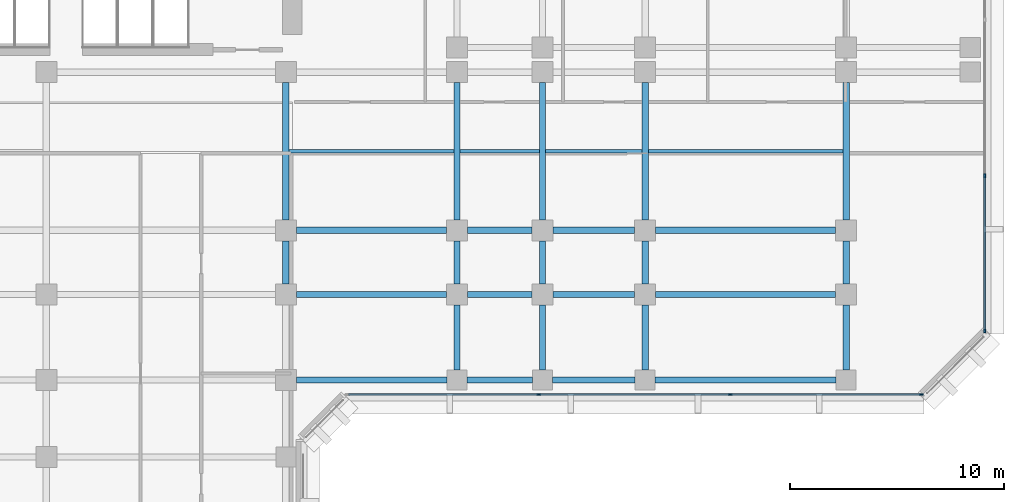
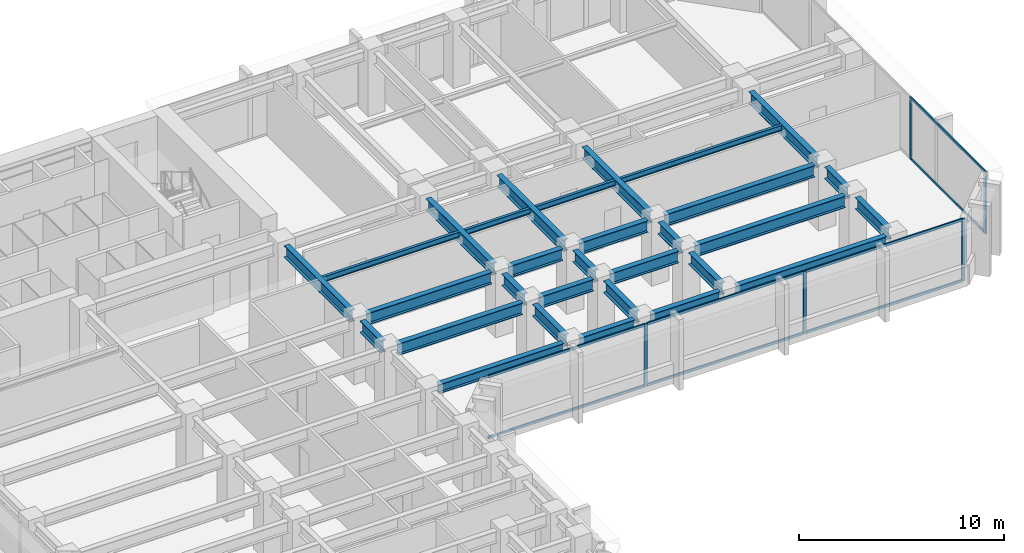
# One storey, part 3 of 13: 30 beams, 13 members, 2 elements without a shape of their own.
"""IFC4 building model written with IfcOpenShell, lengths in metres."""

import ifcopenshell
import ifcopenshell.guid

model = None  # the IFC model being written
_history = None  # IfcOwnerHistory: only IFC2X3 demands one
_inside = {}  # id of a spatial element -> (the spatial element, [elements in it])
_under = {}  # id of a project, library or spatial element -> (it, [spatial elements below it])
_declared = {}  # id of a project -> (the project, [libraries it declares])
_typed = {}  # id of a type object -> (the type object, [elements of that type])
_made_of = {}  # id of a material, layer set ... -> (it, [elements and type objects made of it])


def new_model(schema):
    """Start an empty IFC model of exactly this schema.

    Asked for "IFC4X3", IfcOpenShell would pick the latest addendum, in which some entities
    have other attributes; the version numbers below select the first issue.
    IFC2X3 requires an IfcOwnerHistory on every rooted entity: one is made here for all.
    """
    global model, _history
    if schema == "IFC4X3":
        model = ifcopenshell.file(schema_version=(4, 3, 0, 0))
    else:
        model = ifcopenshell.file(schema=schema)
    _inside.clear()
    _under.clear()
    _declared.clear()
    _typed.clear()
    _made_of.clear()
    _history = None
    if model.schema == "IFC2X3":
        org = make("IfcOrganization", Name="unknown")
        user = make(
            "IfcPersonAndOrganization",
            ThePerson=make("IfcPerson", FamilyName="unknown"),
            TheOrganization=org,
        )
        app = make(
            "IfcApplication",
            ApplicationDeveloper=org,
            Version="unknown",
            ApplicationFullName="unknown",
            ApplicationIdentifier="unknown",
        )
        _history = make(
            "IfcOwnerHistory",
            OwningUser=user,
            OwningApplication=app,
            ChangeAction="ADDED",
            CreationDate=0,
        )
    return model


def make(cls, **values):
    """One entity of the class cls with the attributes given. An attribute that is None is left unset."""
    return model.create_entity(
        cls, **{name: value for name, value in values.items() if value is not None}
    )


def rooted(cls, **values):
    """An entity with a GlobalId (a new one), such as an element, a storey or a relation."""
    return make(cls, GlobalId=ifcopenshell.guid.new(), OwnerHistory=_history, **values)


def si_unit(unit_type, name, prefix=None):
    """IfcSIUnit, for example si_unit("LENGTHUNIT", "METRE", prefix="MILLI")."""
    return make("IfcSIUnit", UnitType=unit_type, Prefix=prefix, Name=name)


def assignment(units):
    """IfcUnitAssignment: the units of a project."""
    return None if units is None else make("IfcUnitAssignment", Units=units)


def point(xyz):
    """IfcCartesianPoint."""
    return None if xyz is None else make("IfcCartesianPoint", Coordinates=xyz)


def direction(xyz):
    """IfcDirection."""
    return None if xyz is None else make("IfcDirection", DirectionRatios=xyz)


def frame(location, z_axis=None, x_axis=None):
    """IfcAxis2Placement3D, a coordinate frame: its origin and axes. An axis left out is left unset."""
    return make(
        "IfcAxis2Placement3D",
        Location=point(location),
        Axis=direction(z_axis),
        RefDirection=direction(x_axis),
    )


def frame_2d(location, x_axis=None):
    """IfcAxis2Placement2D, a coordinate frame in the plane: its origin and x axis."""
    return make(
        "IfcAxis2Placement2D", Location=point(location), RefDirection=direction(x_axis)
    )


def origin():
    """The frame at (0, 0, 0) with its axes left unset."""
    return frame((0.0, 0.0, 0.0))


def origin_2d():
    """The frame at (0, 0) in the plane with its x axis left unset."""
    return frame_2d((0.0, 0.0))


def place(relative_to, where):
    """IfcLocalPlacement: puts the frame where relative to a parent placement (None: the world)."""
    return make(
        "IfcLocalPlacement", PlacementRelTo=relative_to, RelativePlacement=where
    )


def context(
    kind, dimensions, precision=None, world=None, true_north=None, identifier=None
):
    """IfcGeometricRepresentationContext, for example the 3D "Model" context."""
    return make(
        "IfcGeometricRepresentationContext",
        ContextIdentifier=identifier,
        ContextType=kind,
        CoordinateSpaceDimension=dimensions,
        Precision=precision,
        WorldCoordinateSystem=world,
        TrueNorth=true_north,
    )


def subcontext(parent, identifier, kind, view, scale=None):
    """IfcGeometricRepresentationSubContext, for example "Body" below "Model"."""
    return make(
        "IfcGeometricRepresentationSubContext",
        ContextIdentifier=identifier,
        ContextType=kind,
        ParentContext=parent,
        TargetScale=scale,
        TargetView=view,
    )


def project(units=None, contexts=None):
    """IfcProject with its units and contexts."""
    return rooted(
        "IfcProject",
        Name="project",
        RepresentationContexts=contexts,
        UnitsInContext=assignment(units),
    )


def spatial(cls, under=None, at=None, **own):
    """A site, building, storey or space (cls), placed at a placement, below another one or the project."""
    s = rooted(cls, ObjectPlacement=at, **own)
    if under is not None:
        _under.setdefault(under.id(), (under, []))[1].append(s)
    return s


def profile(cls, at=None, kind="AREA", **sizes):
    """A parametric profile (cls). Its sizes go by their IFC names, for example OverallWidth=200.0."""
    return make(cls, ProfileType=kind, Position=at, **sizes)


def rectangle(**sizes):
    """IfcRectangleProfileDef."""
    return profile("IfcRectangleProfileDef", **sizes)


def i_section(**sizes):
    """IfcIShapeProfileDef."""
    return profile("IfcIShapeProfileDef", **sizes)


def extrude(swept, where, along, depth):
    """IfcExtrudedAreaSolid: the profile swept, set in the frame where, extruded along a direction by depth."""
    return make(
        "IfcExtrudedAreaSolid",
        SweptArea=swept,
        Position=where,
        ExtrudedDirection=direction(along),
        Depth=depth,
    )


def shape(context_of_items, identifier, shape_type, items):
    """IfcShapeRepresentation: the items that make up one representation, for example the "Body"."""
    return make(
        "IfcShapeRepresentation",
        ContextOfItems=context_of_items,
        RepresentationIdentifier=identifier,
        RepresentationType=shape_type,
        Items=items,
    )


def material(Name=None, Category=None):
    """IfcMaterial."""
    return make("IfcMaterial", Name=Name, Category=Category)


def layer(
    of_material, thickness, ventilated=None, Name=None, Category=None, Priority=None
):
    """IfcMaterialLayer: one layer of a wall or slab, of a material (None: an air gap)."""
    return make(
        "IfcMaterialLayer",
        Material=of_material,
        LayerThickness=thickness,
        IsVentilated=ventilated,
        Name=Name,
        Category=Category,
        Priority=Priority,
    )


def layer_set(layers, Name=None):
    """IfcMaterialLayerSet."""
    return make("IfcMaterialLayerSet", MaterialLayers=layers, LayerSetName=Name)


def material_profile(
    of_material, cross_section, Name=None, Category=None, Priority=None
):
    """IfcMaterialProfile: a cross section and its material."""
    return make(
        "IfcMaterialProfile",
        Name=Name,
        Material=of_material,
        Profile=cross_section,
        Priority=Priority,
        Category=Category,
    )


def profile_set(profiles, Name=None, composite=None):
    """IfcMaterialProfileSet."""
    return make(
        "IfcMaterialProfileSet",
        Name=Name,
        MaterialProfiles=profiles,
        CompositeProfile=composite,
    )


def made_of(thing, what):
    """Note that an element or type object is made of a material, layer set ...; save() writes the relation."""
    if what is not None:
        _made_of.setdefault(what.id(), (what, []))[1].append(thing)
    return thing


def type_object(cls, material=None, **own):
    """A type object (cls), such as IfcWallType, which elements share."""
    return made_of(rooted(cls, **own), material)


def element(
    cls,
    number,
    at=None,
    inside=None,
    cuts=None,
    type_object=None,
    material=None,
    context=None,
    identifier="Body",
    shape_type=None,
    held_by="IfcProductDefinitionShape",
    body=None,
    shapes=None,
    **own,
):
    """One element of the class cls, such as IfcWall. Its Tag is "e" and its number.

    at: its placement. inside: the storey or other place that contains it. cuts: it is an
    opening in that element (IfcRelVoidsElement). A single representation is given by context,
    identifier, shape_type and body (its items); several are given by shapes. held_by: the class
    of the entity that holds the representations. save() writes the other relations.
    """
    e = rooted(cls, Tag="e%d" % number, ObjectPlacement=at, **own)
    if body is not None:
        shapes = [shape(context, identifier, shape_type, body)]
    if shapes is not None:
        e.Representation = make(held_by, Representations=shapes)
    if inside is not None:
        _inside.setdefault(inside.id(), (inside, []))[1].append(e)
    if cuts is not None:
        rooted(
            "IfcRelVoidsElement", RelatingBuildingElement=cuts, RelatedOpeningElement=e
        )
    if type_object is not None:
        _typed.setdefault(type_object.id(), (type_object, []))[1].append(e)
    return made_of(e, material)


def aggregate(whole, parts):
    """IfcRelAggregates: a whole, such as a stair, and the parts it consists of."""
    return rooted("IfcRelAggregates", RelatingObject=whole, RelatedObjects=parts)


def save(model, path):
    """Write the relations noted so far, then the file.

    IfcRelAggregates (storeys below a building ...), IfcRelContainedInSpatialStructure (elements
    in a storey), IfcRelDefinesByType, IfcRelAssociatesMaterial and IfcRelDeclares: one each for
    every whole, place, type object, material and project.
    """
    for whole, parts in _under.values():
        aggregate(whole, parts)
    for where, things in _inside.values():
        rooted(
            "IfcRelContainedInSpatialStructure",
            RelatedElements=things,
            RelatingStructure=where,
        )
    for kind, things in _typed.values():
        rooted("IfcRelDefinesByType", RelatedObjects=things, RelatingType=kind)
    for what, things in _made_of.values():
        rooted("IfcRelAssociatesMaterial", RelatedObjects=things, RelatingMaterial=what)
    for by, libraries in _declared.values():
        rooted("IfcRelDeclares", RelatingContext=by, RelatedDefinitions=libraries)
    model.write(path)


model = new_model("IFC4")

# Units and contexts
model_context = context("Model", 3, precision=1e-05, world=origin(), true_north=direction((0.0, 1.0)))
body_context = subcontext(model_context, "Body", "Model", "MODEL_VIEW")
ifc_project = project(units=[si_unit("LENGTHUNIT", "METRE"), si_unit("AREAUNIT", "SQUARE_METRE"), si_unit("VOLUMEUNIT", "CUBIC_METRE"), si_unit("PLANEANGLEUNIT", "RADIAN"), si_unit("MASSUNIT", "GRAM", prefix="KILO")], contexts=[model_context])

# Site, building, storey
site_placement = place(None, origin())
site = spatial("IfcSite", under=ifc_project, at=site_placement, CompositionType="ELEMENT")
building_placement = place(site_placement, origin())
building = spatial("IfcBuilding", under=site, at=building_placement, Name="Kefirva Bronze Tower", CompositionType="ELEMENT")
storey_placement = place(building_placement, frame((0.0, 0.0, 73.919921875)))
storey = spatial("IfcBuildingStorey", under=building, at=storey_placement, Name="L17", CompositionType="ELEMENT", Elevation=73.919921875)

# Curtain wall, members
ifc_material_1 = material(Name="Bronze anodised aluminium", Category="aluminium")
ifc_layer = layer(ifc_material_1, 0.199951171875, Name="Bronze anodised aluminium")
ifc_layer_set = layer_set([ifc_layer], Name="Bronze anodised aluminium")
curtain_wall_type = type_object("IfcCurtainWallType", Name="Unitised Bronze Ribbon Curtain Wall Zone 1", PredefinedType="USERDEFINED", material=ifc_layer_set)
curtain_wall_1_placement = place(storey_placement, origin())
curtain_wall_1 = element("IfcCurtainWall", 1, at=curtain_wall_1_placement, inside=storey, type_object=curtain_wall_type, Name="L17 Curtain Wall 2", ObjectType="UNITISED CURTAIN WALL", PredefinedType="USERDEFINED")
ifc_material_profile_1 = material_profile(ifc_material_1, rectangle(XDim=0.074951171875, YDim=0.179931640625, at=origin_2d()), Name="ALU 75x180")
ifc_profile_set_1 = profile_set([ifc_material_profile_1], Name="Bronze anodised aluminium")
member_type_1 = type_object("IfcMemberType", Name="Bronze Mullion 75x180", PredefinedType="MULLION", material=ifc_profile_set_1)
member_1_placement = place(storey_placement, frame((35.018310546875, 18.1201171875, 0.0), z_axis=(0.0, 0.0, 1.0), x_axis=(0.0, 1.0, 0.0)))
member_1 = element("IfcMember", 2, at=member_1_placement, type_object=member_type_1, Name="CW-01 mullion 2", PredefinedType="MULLION", context=body_context, shape_type="SweptSolid", body=[
    extrude(rectangle(XDim=0.074951171875, YDim=0.179931640625, at=origin_2d()), origin(), (0.0, 0.0, 1.0), 3.7099609375),
])
member_2_placement = place(storey_placement, frame((43.981689453125, 18.1201171875, 0.0), z_axis=(0.0, 0.0, 1.0), x_axis=(0.0, 1.0, 0.0)))
member_2 = element("IfcMember", 3, at=member_2_placement, type_object=member_type_1, Name="CW-01 mullion 3", PredefinedType="MULLION", context=body_context, shape_type="SweptSolid", body=[
    extrude(rectangle(XDim=0.074951171875, YDim=0.179931640625, at=origin_2d()), origin(), (0.0, 0.0, 1.0), 3.7099609375),
])
member_3_placement = place(storey_placement, frame((52.907470703125, 18.1201171875, 0.0), z_axis=(0.0, 0.0, 1.0), x_axis=(0.0, 1.0, 0.0)))
member_3 = element("IfcMember", 4, at=member_3_placement, type_object=member_type_1, Name="CW-01 mullion 4", PredefinedType="MULLION", context=body_context, shape_type="SweptSolid", body=[
    extrude(rectangle(XDim=0.074951171875, YDim=0.179931640625, at=origin_2d()), origin(), (0.0, 0.0, 1.0), 3.7099609375),
])

curtain_wall_2_placement = place(storey_placement, origin())
curtain_wall_2 = element("IfcCurtainWall", 5, at=curtain_wall_2_placement, inside=storey, type_object=curtain_wall_type, Name="L17 Curtain Wall 3", ObjectType="UNITISED CURTAIN WALL", PredefinedType="USERDEFINED")
member_4_placement = place(storey_placement, frame((55.8798828125, 21.092529296875, 0.0), z_axis=(0.0, 0.0, 1.0), x_axis=(-1.0, 0.0, 0.0)))
member_4 = element("IfcMember", 6, at=member_4_placement, type_object=member_type_1, Name="CW-01 mullion 1", PredefinedType="MULLION", context=body_context, shape_type="SweptSolid", body=[
    extrude(rectangle(XDim=0.074951171875, YDim=0.179931640625, at=origin_2d()), origin(), (0.0, 0.0, 1.0), 3.7099609375),
])
member_5_placement = place(storey_placement, frame((55.8798828125, 28.3515625, 0.0), z_axis=(0.0, 0.0, 1.0), x_axis=(-1.0, 0.0, 0.0)))
member_5 = element("IfcMember", 7, at=member_5_placement, type_object=member_type_1, Name="CW-01 mullion 2", PredefinedType="MULLION", context=body_context, shape_type="SweptSolid", body=[
    extrude(rectangle(XDim=0.074951171875, YDim=0.179931640625, at=origin_2d()), origin(), (0.0, 0.0, 1.0), 3.7099609375),
])

# Member
ifc_material_profile_2 = material_profile(ifc_material_1, rectangle(XDim=0.074951171875, YDim=0.14990234375, at=origin_2d()), Name="ALU 75x150")
ifc_profile_set_2 = profile_set([ifc_material_profile_2], Name="Bronze anodised aluminium")
member_type_2 = type_object("IfcMemberType", Name="Bronze Transom 75x150", PredefinedType="USERDEFINED", material=ifc_profile_set_2)
member_6_placement = place(storey_placement, frame((26.1298828125, 18.1201171875, 0.03759765625), z_axis=(1.0, 0.0, 0.0), x_axis=(0.0, 1.0, 0.0)))
member_6 = element("IfcMember", 8, at=member_6_placement, type_object=member_type_2, Name="CW-01 transom 1.1", ObjectType="TRANSOM", PredefinedType="USERDEFINED", context=body_context, shape_type="SweptSolid", body=[
    extrude(rectangle(XDim=0.074951171875, YDim=0.14990234375, at=origin_2d()), origin(), (0.0, 0.0, 1.0), 8.850830078125),
])

member_7_placement = place(storey_placement, frame((26.1298828125, 18.1201171875, 3.672607421875), z_axis=(1.0, 0.0, 0.0), x_axis=(0.0, 1.0, 0.0)))
member_7 = element("IfcMember", 9, at=member_7_placement, type_object=member_type_2, Name="CW-01 transom 1.2", ObjectType="TRANSOM", PredefinedType="USERDEFINED", context=body_context, shape_type="SweptSolid", body=[
    extrude(rectangle(XDim=0.074951171875, YDim=0.14990234375, at=origin_2d()), origin(), (0.0, 0.0, 1.0), 8.850830078125),
])

member_8_placement = place(storey_placement, frame((35.055908203125, 18.1201171875, 0.03759765625), z_axis=(1.0, 0.0, 0.0), x_axis=(0.0, 1.0, 0.0)))
member_8 = element("IfcMember", 10, at=member_8_placement, type_object=member_type_2, Name="CW-01 transom 2.1", ObjectType="TRANSOM", PredefinedType="USERDEFINED", context=body_context, shape_type="SweptSolid", body=[
    extrude(rectangle(XDim=0.074951171875, YDim=0.14990234375, at=origin_2d()), origin(), (0.0, 0.0, 1.0), 8.88818359375),
])

member_9_placement = place(storey_placement, frame((35.055908203125, 18.1201171875, 3.672607421875), z_axis=(1.0, 0.0, 0.0), x_axis=(0.0, 1.0, 0.0)))
member_9 = element("IfcMember", 11, at=member_9_placement, type_object=member_type_2, Name="CW-01 transom 2.2", ObjectType="TRANSOM", PredefinedType="USERDEFINED", context=body_context, shape_type="SweptSolid", body=[
    extrude(rectangle(XDim=0.074951171875, YDim=0.14990234375, at=origin_2d()), origin(), (0.0, 0.0, 1.0), 8.88818359375),
])

member_10_placement = place(storey_placement, frame((44.019287109375, 18.1201171875, 0.03759765625), z_axis=(1.0, 0.0, 0.0), x_axis=(0.0, 1.0, 0.0)))
member_10 = element("IfcMember", 12, at=member_10_placement, type_object=member_type_2, Name="CW-01 transom 3.1", ObjectType="TRANSOM", PredefinedType="USERDEFINED", context=body_context, shape_type="SweptSolid", body=[
    extrude(rectangle(XDim=0.074951171875, YDim=0.14990234375, at=origin_2d()), origin(), (0.0, 0.0, 1.0), 8.850830078125),
])

member_11_placement = place(storey_placement, frame((44.019287109375, 18.1201171875, 3.672607421875), z_axis=(1.0, 0.0, 0.0), x_axis=(0.0, 1.0, 0.0)))
member_11 = element("IfcMember", 13, at=member_11_placement, type_object=member_type_2, Name="CW-01 transom 3.2", ObjectType="TRANSOM", PredefinedType="USERDEFINED", context=body_context, shape_type="SweptSolid", body=[
    extrude(rectangle(XDim=0.074951171875, YDim=0.14990234375, at=origin_2d()), origin(), (0.0, 0.0, 1.0), 8.850830078125),
])

aggregate(curtain_wall_1, [member_1, member_2, member_3, member_6, member_7, member_8, member_9, member_10, member_11])

member_12_placement = place(storey_placement, frame((55.8798828125, 21.1298828125, 0.03759765625), z_axis=(0.0, 1.0, 0.0), x_axis=(-1.0, 0.0, 0.0)))
member_12 = element("IfcMember", 14, at=member_12_placement, type_object=member_type_2, Name="CW-01 transom 1.1", ObjectType="TRANSOM", PredefinedType="USERDEFINED", context=body_context, shape_type="SweptSolid", body=[
    extrude(rectangle(XDim=0.074951171875, YDim=0.14990234375, at=origin_2d()), origin(), (0.0, 0.0, 1.0), 7.184326171875),
])

member_13_placement = place(storey_placement, frame((55.8798828125, 21.1298828125, 3.672607421875), z_axis=(0.0, 1.0, 0.0), x_axis=(-1.0, 0.0, 0.0)))
member_13 = element("IfcMember", 15, at=member_13_placement, type_object=member_type_2, Name="CW-01 transom 1.2", ObjectType="TRANSOM", PredefinedType="USERDEFINED", context=body_context, shape_type="SweptSolid", body=[
    extrude(rectangle(XDim=0.074951171875, YDim=0.14990234375, at=origin_2d()), origin(), (0.0, 0.0, 1.0), 7.184326171875),
])

aggregate(curtain_wall_2, [member_4, member_5, member_12, member_13])

# Beams
ifc_material_2 = material(Name="Steel S355", Category="steel")
ifc_material_profile_3 = material_profile(ifc_material_2, i_section(OverallWidth=0.159912109375, OverallDepth=0.330078125, WebThickness=0.007568359375, FlangeThickness=0.011474609375, at=origin_2d()), Name="IPE 330")
ifc_profile_set_3 = profile_set([ifc_material_profile_3], Name="Steel S355")
beam_type_1 = type_object("IfcBeamType", Name="Steel Floor Joist IPE 330", PredefinedType="JOIST", material=ifc_profile_set_3)
beam_1_placement = place(storey_placement, frame((23.35009765625, 29.5, 3.545166015625), z_axis=(1.0, 0.0, 0.0), x_axis=(0.0, 1.0, 0.0)))
element("IfcBeam", 16, at=beam_1_placement, inside=storey, type_object=beam_type_1, Name="L17 JST-L17-23-295", PredefinedType="JOIST", context=body_context, shape_type="SweptSolid", body=[
    extrude(i_section(OverallWidth=0.159912109375, OverallDepth=0.330078125, WebThickness=0.007568359375, FlangeThickness=0.011474609375, at=origin_2d()), origin(), (0.0, 0.0, 1.0), 7.699951171875),
])
beam_2_placement = place(storey_placement, frame((31.35009765625, 29.5, 3.545166015625), z_axis=(1.0, 0.0, 0.0), x_axis=(0.0, 1.0, 0.0)))
element("IfcBeam", 17, at=beam_2_placement, inside=storey, type_object=beam_type_1, Name="L17 JST-L17-31-295", PredefinedType="JOIST", context=body_context, shape_type="SweptSolid", body=[
    extrude(i_section(OverallWidth=0.159912109375, OverallDepth=0.330078125, WebThickness=0.007568359375, FlangeThickness=0.011474609375, at=origin_2d()), origin(), (0.0, 0.0, 1.0), 3.699951171875),
])
beam_3_placement = place(storey_placement, frame((35.35009765625, 29.5, 3.545166015625), z_axis=(1.0, 0.0, 0.0), x_axis=(0.0, 1.0, 0.0)))
element("IfcBeam", 18, at=beam_3_placement, inside=storey, type_object=beam_type_1, Name="L17 JST-L17-35-295", PredefinedType="JOIST", context=body_context, shape_type="SweptSolid", body=[
    extrude(i_section(OverallWidth=0.159912109375, OverallDepth=0.330078125, WebThickness=0.007568359375, FlangeThickness=0.011474609375, at=origin_2d()), origin(), (0.0, 0.0, 1.0), 4.5),
])
beam_4_placement = place(storey_placement, frame((40.14990234375, 29.5, 3.545166015625), z_axis=(1.0, 0.0, 0.0), x_axis=(0.0, 1.0, 0.0)))
element("IfcBeam", 19, at=beam_4_placement, inside=storey, type_object=beam_type_1, Name="L17 JST-L17-40-295", PredefinedType="JOIST", context=body_context, shape_type="SweptSolid", body=[
    extrude(i_section(OverallWidth=0.159912109375, OverallDepth=0.330078125, WebThickness=0.007568359375, FlangeThickness=0.011474609375, at=origin_2d()), origin(), (0.0, 0.0, 1.0), 9.10009765625),
])
ifc_material_profile_4 = material_profile(ifc_material_2, i_section(OverallWidth=0.300048828125, OverallDepth=0.699951171875, WebThickness=0.01708984375, FlangeThickness=0.031982421875, at=origin_2d()), Name="HEB 700")
ifc_profile_set_4 = profile_set([ifc_material_profile_4], Name="Steel S355")
beam_type_2 = type_object("IfcBeamType", Name="Steel Girder HEB 700", PredefinedType="USERDEFINED", material=ifc_profile_set_4)
beam_5_placement = place(storey_placement, frame((23.68994140625, 22.800048828125, 3.360107421875), z_axis=(1.0, 0.0, 0.0), x_axis=(0.0, 1.0, 0.0)))
element("IfcBeam", 20, at=beam_5_placement, inside=storey, type_object=beam_type_2, Name="L17 BM-L17-EW-23-228", ObjectType="GIRDER", PredefinedType="USERDEFINED", context=body_context, shape_type="SweptSolid", body=[
    extrude(i_section(OverallWidth=0.300048828125, OverallDepth=0.699951171875, WebThickness=0.01708984375, FlangeThickness=0.031982421875, at=origin_2d()), origin(), (0.0, 0.0, 1.0), 7.02001953125),
])
beam_6_placement = place(storey_placement, frame((31.68994140625, 22.800048828125, 3.360107421875), z_axis=(1.0, 0.0, 0.0), x_axis=(0.0, 1.0, 0.0)))
element("IfcBeam", 21, at=beam_6_placement, inside=storey, type_object=beam_type_2, Name="L17 BM-L17-EW-31-228", ObjectType="GIRDER", PredefinedType="USERDEFINED", context=body_context, shape_type="SweptSolid", body=[
    extrude(i_section(OverallWidth=0.300048828125, OverallDepth=0.699951171875, WebThickness=0.01708984375, FlangeThickness=0.031982421875, at=origin_2d()), origin(), (0.0, 0.0, 1.0), 3.02001953125),
])
beam_7_placement = place(storey_placement, frame((35.68994140625, 22.800048828125, 3.360107421875), z_axis=(1.0, 0.0, 0.0), x_axis=(0.0, 1.0, 0.0)))
element("IfcBeam", 22, at=beam_7_placement, inside=storey, type_object=beam_type_2, Name="L17 BM-L17-EW-35-228", ObjectType="GIRDER", PredefinedType="USERDEFINED", context=body_context, shape_type="SweptSolid", body=[
    extrude(i_section(OverallWidth=0.300048828125, OverallDepth=0.699951171875, WebThickness=0.01708984375, FlangeThickness=0.031982421875, at=origin_2d()), origin(), (0.0, 0.0, 1.0), 3.820068359375),
])
beam_8_placement = place(storey_placement, frame((40.489990234375, 22.800048828125, 3.360107421875), z_axis=(1.0, 0.0, 0.0), x_axis=(0.0, 1.0, 0.0)))
element("IfcBeam", 23, at=beam_8_placement, inside=storey, type_object=beam_type_2, Name="L17 BM-L17-EW-40-228", ObjectType="GIRDER", PredefinedType="USERDEFINED", context=body_context, shape_type="SweptSolid", body=[
    extrude(i_section(OverallWidth=0.300048828125, OverallDepth=0.699951171875, WebThickness=0.01708984375, FlangeThickness=0.031982421875, at=origin_2d()), origin(), (0.0, 0.0, 1.0), 8.419921875),
])
beam_9_placement = place(storey_placement, frame((23.68994140625, 25.800048828125, 3.360107421875), z_axis=(1.0, 0.0, 0.0), x_axis=(0.0, 1.0, 0.0)))
element("IfcBeam", 24, at=beam_9_placement, inside=storey, type_object=beam_type_2, Name="L17 BM-L17-EW-23-258", ObjectType="GIRDER", PredefinedType="USERDEFINED", context=body_context, shape_type="SweptSolid", body=[
    extrude(i_section(OverallWidth=0.300048828125, OverallDepth=0.699951171875, WebThickness=0.01708984375, FlangeThickness=0.031982421875, at=origin_2d()), origin(), (0.0, 0.0, 1.0), 7.02001953125),
])
beam_10_placement = place(storey_placement, frame((31.68994140625, 25.800048828125, 3.360107421875), z_axis=(1.0, 0.0, 0.0), x_axis=(0.0, 1.0, 0.0)))
element("IfcBeam", 25, at=beam_10_placement, inside=storey, type_object=beam_type_2, Name="L17 BM-L17-EW-31-258", ObjectType="GIRDER", PredefinedType="USERDEFINED", context=body_context, shape_type="SweptSolid", body=[
    extrude(i_section(OverallWidth=0.300048828125, OverallDepth=0.699951171875, WebThickness=0.01708984375, FlangeThickness=0.031982421875, at=origin_2d()), origin(), (0.0, 0.0, 1.0), 3.02001953125),
])
beam_11_placement = place(storey_placement, frame((35.68994140625, 25.800048828125, 3.360107421875), z_axis=(1.0, 0.0, 0.0), x_axis=(0.0, 1.0, 0.0)))
element("IfcBeam", 26, at=beam_11_placement, inside=storey, type_object=beam_type_2, Name="L17 BM-L17-EW-35-258", ObjectType="GIRDER", PredefinedType="USERDEFINED", context=body_context, shape_type="SweptSolid", body=[
    extrude(i_section(OverallWidth=0.300048828125, OverallDepth=0.699951171875, WebThickness=0.01708984375, FlangeThickness=0.031982421875, at=origin_2d()), origin(), (0.0, 0.0, 1.0), 3.820068359375),
])
beam_12_placement = place(storey_placement, frame((40.489990234375, 25.800048828125, 3.360107421875), z_axis=(1.0, 0.0, 0.0), x_axis=(0.0, 1.0, 0.0)))
element("IfcBeam", 27, at=beam_12_placement, inside=storey, type_object=beam_type_2, Name="L17 BM-L17-EW-40-258", ObjectType="GIRDER", PredefinedType="USERDEFINED", context=body_context, shape_type="SweptSolid", body=[
    extrude(i_section(OverallWidth=0.300048828125, OverallDepth=0.699951171875, WebThickness=0.01708984375, FlangeThickness=0.031982421875, at=origin_2d()), origin(), (0.0, 0.0, 1.0), 8.419921875),
])
beam_13_placement = place(storey_placement, frame((23.199951171875, 23.2900390625, 3.360107421875), z_axis=(0.0, 1.0, 0.0), x_axis=(-1.0, 0.0, 0.0)))
element("IfcBeam", 28, at=beam_13_placement, inside=storey, type_object=beam_type_2, Name="L17 BM-L17-NS-232-22", ObjectType="GIRDER", PredefinedType="USERDEFINED", context=body_context, shape_type="SweptSolid", body=[
    extrude(i_section(OverallWidth=0.300048828125, OverallDepth=0.699951171875, WebThickness=0.01708984375, FlangeThickness=0.031982421875, at=origin_2d()), origin(), (0.0, 0.0, 1.0), 2.02001953125),
])
beam_14_placement = place(storey_placement, frame((23.199951171875, 26.2900390625, 3.360107421875), z_axis=(0.0, 1.0, 0.0), x_axis=(-1.0, 0.0, 0.0)))
element("IfcBeam", 29, at=beam_14_placement, inside=storey, type_object=beam_type_2, Name="L17 BM-L17-NS-232-25", ObjectType="GIRDER", PredefinedType="USERDEFINED", context=body_context, shape_type="SweptSolid", body=[
    extrude(i_section(OverallWidth=0.300048828125, OverallDepth=0.699951171875, WebThickness=0.01708984375, FlangeThickness=0.031982421875, at=origin_2d()), origin(), (0.0, 0.0, 1.0), 6.419921875),
])
beam_15_placement = place(storey_placement, frame((31.199951171875, 19.27001953125, 3.360107421875), z_axis=(0.0, 1.0, 0.0), x_axis=(-1.0, 0.0, 0.0)))
element("IfcBeam", 30, at=beam_15_placement, inside=storey, type_object=beam_type_2, Name="L17 BM-L17-NS-312-18", ObjectType="GIRDER", PredefinedType="USERDEFINED", context=body_context, shape_type="SweptSolid", body=[
    extrude(i_section(OverallWidth=0.300048828125, OverallDepth=0.699951171875, WebThickness=0.01708984375, FlangeThickness=0.031982421875, at=origin_2d()), origin(), (0.0, 0.0, 1.0), 3.0400390625),
])
beam_16_placement = place(storey_placement, frame((31.199951171875, 23.2900390625, 3.360107421875), z_axis=(0.0, 1.0, 0.0), x_axis=(-1.0, 0.0, 0.0)))
element("IfcBeam", 31, at=beam_16_placement, inside=storey, type_object=beam_type_2, Name="L17 BM-L17-NS-312-22", ObjectType="GIRDER", PredefinedType="USERDEFINED", context=body_context, shape_type="SweptSolid", body=[
    extrude(i_section(OverallWidth=0.300048828125, OverallDepth=0.699951171875, WebThickness=0.01708984375, FlangeThickness=0.031982421875, at=origin_2d()), origin(), (0.0, 0.0, 1.0), 2.02001953125),
])
beam_17_placement = place(storey_placement, frame((31.199951171875, 26.2900390625, 3.360107421875), z_axis=(0.0, 1.0, 0.0), x_axis=(-1.0, 0.0, 0.0)))
element("IfcBeam", 32, at=beam_17_placement, inside=storey, type_object=beam_type_2, Name="L17 BM-L17-NS-312-25", ObjectType="GIRDER", PredefinedType="USERDEFINED", context=body_context, shape_type="SweptSolid", body=[
    extrude(i_section(OverallWidth=0.300048828125, OverallDepth=0.699951171875, WebThickness=0.01708984375, FlangeThickness=0.031982421875, at=origin_2d()), origin(), (0.0, 0.0, 1.0), 6.419921875),
])
beam_18_placement = place(storey_placement, frame((35.199951171875, 19.27001953125, 3.360107421875), z_axis=(0.0, 1.0, 0.0), x_axis=(-1.0, 0.0, 0.0)))
element("IfcBeam", 33, at=beam_18_placement, inside=storey, type_object=beam_type_2, Name="L17 BM-L17-NS-352-18", ObjectType="GIRDER", PredefinedType="USERDEFINED", context=body_context, shape_type="SweptSolid", body=[
    extrude(i_section(OverallWidth=0.300048828125, OverallDepth=0.699951171875, WebThickness=0.01708984375, FlangeThickness=0.031982421875, at=origin_2d()), origin(), (0.0, 0.0, 1.0), 3.0400390625),
])
beam_19_placement = place(storey_placement, frame((35.199951171875, 23.2900390625, 3.360107421875), z_axis=(0.0, 1.0, 0.0), x_axis=(-1.0, 0.0, 0.0)))
element("IfcBeam", 34, at=beam_19_placement, inside=storey, type_object=beam_type_2, Name="L17 BM-L17-NS-352-22", ObjectType="GIRDER", PredefinedType="USERDEFINED", context=body_context, shape_type="SweptSolid", body=[
    extrude(i_section(OverallWidth=0.300048828125, OverallDepth=0.699951171875, WebThickness=0.01708984375, FlangeThickness=0.031982421875, at=origin_2d()), origin(), (0.0, 0.0, 1.0), 2.02001953125),
])
beam_20_placement = place(storey_placement, frame((35.199951171875, 26.2900390625, 3.360107421875), z_axis=(0.0, 1.0, 0.0), x_axis=(-1.0, 0.0, 0.0)))
element("IfcBeam", 35, at=beam_20_placement, inside=storey, type_object=beam_type_2, Name="L17 BM-L17-NS-352-25", ObjectType="GIRDER", PredefinedType="USERDEFINED", context=body_context, shape_type="SweptSolid", body=[
    extrude(i_section(OverallWidth=0.300048828125, OverallDepth=0.699951171875, WebThickness=0.01708984375, FlangeThickness=0.031982421875, at=origin_2d()), origin(), (0.0, 0.0, 1.0), 6.419921875),
])
beam_21_placement = place(storey_placement, frame((40.0, 19.27001953125, 3.360107421875), z_axis=(0.0, 1.0, 0.0), x_axis=(-1.0, 0.0, 0.0)))
element("IfcBeam", 36, at=beam_21_placement, inside=storey, type_object=beam_type_2, Name="L17 BM-L17-NS-400-18", ObjectType="GIRDER", PredefinedType="USERDEFINED", context=body_context, shape_type="SweptSolid", body=[
    extrude(i_section(OverallWidth=0.300048828125, OverallDepth=0.699951171875, WebThickness=0.01708984375, FlangeThickness=0.031982421875, at=origin_2d()), origin(), (0.0, 0.0, 1.0), 3.0400390625),
])
beam_22_placement = place(storey_placement, frame((40.0, 23.2900390625, 3.360107421875), z_axis=(0.0, 1.0, 0.0), x_axis=(-1.0, 0.0, 0.0)))
element("IfcBeam", 37, at=beam_22_placement, inside=storey, type_object=beam_type_2, Name="L17 BM-L17-NS-400-22", ObjectType="GIRDER", PredefinedType="USERDEFINED", context=body_context, shape_type="SweptSolid", body=[
    extrude(i_section(OverallWidth=0.300048828125, OverallDepth=0.699951171875, WebThickness=0.01708984375, FlangeThickness=0.031982421875, at=origin_2d()), origin(), (0.0, 0.0, 1.0), 2.02001953125),
])
beam_23_placement = place(storey_placement, frame((40.0, 26.2900390625, 3.360107421875), z_axis=(0.0, 1.0, 0.0), x_axis=(-1.0, 0.0, 0.0)))
element("IfcBeam", 38, at=beam_23_placement, inside=storey, type_object=beam_type_2, Name="L17 BM-L17-NS-400-25", ObjectType="GIRDER", PredefinedType="USERDEFINED", context=body_context, shape_type="SweptSolid", body=[
    extrude(i_section(OverallWidth=0.300048828125, OverallDepth=0.699951171875, WebThickness=0.01708984375, FlangeThickness=0.031982421875, at=origin_2d()), origin(), (0.0, 0.0, 1.0), 6.419921875),
])
beam_24_placement = place(storey_placement, frame((49.39990234375, 19.27001953125, 3.360107421875), z_axis=(0.0, 1.0, 0.0), x_axis=(-1.0, 0.0, 0.0)))
element("IfcBeam", 39, at=beam_24_placement, inside=storey, type_object=beam_type_2, Name="L17 BM-L17-NS-494-18", ObjectType="GIRDER", PredefinedType="USERDEFINED", context=body_context, shape_type="SweptSolid", body=[
    extrude(i_section(OverallWidth=0.300048828125, OverallDepth=0.699951171875, WebThickness=0.01708984375, FlangeThickness=0.031982421875, at=origin_2d()), origin(), (0.0, 0.0, 1.0), 3.0400390625),
])
beam_25_placement = place(storey_placement, frame((49.39990234375, 23.2900390625, 3.360107421875), z_axis=(0.0, 1.0, 0.0), x_axis=(-1.0, 0.0, 0.0)))
element("IfcBeam", 40, at=beam_25_placement, inside=storey, type_object=beam_type_2, Name="L17 BM-L17-NS-494-22", ObjectType="GIRDER", PredefinedType="USERDEFINED", context=body_context, shape_type="SweptSolid", body=[
    extrude(i_section(OverallWidth=0.300048828125, OverallDepth=0.699951171875, WebThickness=0.01708984375, FlangeThickness=0.031982421875, at=origin_2d()), origin(), (0.0, 0.0, 1.0), 2.02001953125),
])
beam_26_placement = place(storey_placement, frame((49.39990234375, 26.2900390625, 3.360107421875), z_axis=(0.0, 1.0, 0.0), x_axis=(-1.0, 0.0, 0.0)))
element("IfcBeam", 41, at=beam_26_placement, inside=storey, type_object=beam_type_2, Name="L17 BM-L17-NS-494-25", ObjectType="GIRDER", PredefinedType="USERDEFINED", context=body_context, shape_type="SweptSolid", body=[
    extrude(i_section(OverallWidth=0.300048828125, OverallDepth=0.699951171875, WebThickness=0.01708984375, FlangeThickness=0.031982421875, at=origin_2d()), origin(), (0.0, 0.0, 1.0), 6.419921875),
])
ifc_material_profile_5 = material_profile(ifc_material_2, i_section(OverallWidth=0.300048828125, OverallDepth=0.550048828125, WebThickness=0.014892578125, FlangeThickness=0.029052734375, at=origin_2d()), Name="HEB 550")
ifc_profile_set_5 = profile_set([ifc_material_profile_5], Name="Steel S355")
beam_type_3 = type_object("IfcBeamType", Name="Steel Spandrel HEB 550 Ext", PredefinedType="SPANDREL", material=ifc_profile_set_5)
beam_27_placement = place(storey_placement, frame((23.68994140625, 18.800048828125, 3.43505859375), z_axis=(1.0, 0.0, 0.0), x_axis=(0.0, 1.0, 0.0)))
element("IfcBeam", 42, at=beam_27_placement, inside=storey, type_object=beam_type_3, Name="L17 BM-L17-EW-23-188", PredefinedType="SPANDREL", context=body_context, shape_type="SweptSolid", body=[
    extrude(i_section(OverallWidth=0.300048828125, OverallDepth=0.550048828125, WebThickness=0.014892578125, FlangeThickness=0.029052734375, at=origin_2d()), origin(), (0.0, 0.0, 1.0), 7.0400390625),
])
beam_28_placement = place(storey_placement, frame((31.669921875, 18.800048828125, 3.43505859375), z_axis=(1.0, 0.0, 0.0), x_axis=(0.0, 1.0, 0.0)))
element("IfcBeam", 43, at=beam_28_placement, inside=storey, type_object=beam_type_3, Name="L17 BM-L17-EW-31-188", PredefinedType="SPANDREL", context=body_context, shape_type="SweptSolid", body=[
    extrude(i_section(OverallWidth=0.300048828125, OverallDepth=0.550048828125, WebThickness=0.014892578125, FlangeThickness=0.029052734375, at=origin_2d()), origin(), (0.0, 0.0, 1.0), 3.06005859375),
])
beam_29_placement = place(storey_placement, frame((35.669921875, 18.800048828125, 3.43505859375), z_axis=(1.0, 0.0, 0.0), x_axis=(0.0, 1.0, 0.0)))
element("IfcBeam", 44, at=beam_29_placement, inside=storey, type_object=beam_type_3, Name="L17 BM-L17-EW-35-188", PredefinedType="SPANDREL", context=body_context, shape_type="SweptSolid", body=[
    extrude(i_section(OverallWidth=0.300048828125, OverallDepth=0.550048828125, WebThickness=0.014892578125, FlangeThickness=0.029052734375, at=origin_2d()), origin(), (0.0, 0.0, 1.0), 3.860107421875),
])
beam_30_placement = place(storey_placement, frame((40.469970703125, 18.800048828125, 3.43505859375), z_axis=(1.0, 0.0, 0.0), x_axis=(0.0, 1.0, 0.0)))
element("IfcBeam", 45, at=beam_30_placement, inside=storey, type_object=beam_type_3, Name="L17 BM-L17-EW-40-188", PredefinedType="SPANDREL", context=body_context, shape_type="SweptSolid", body=[
    extrude(i_section(OverallWidth=0.300048828125, OverallDepth=0.550048828125, WebThickness=0.014892578125, FlangeThickness=0.029052734375, at=origin_2d()), origin(), (0.0, 0.0, 1.0), 8.4599609375),
])

save(model, "model.ifc")
